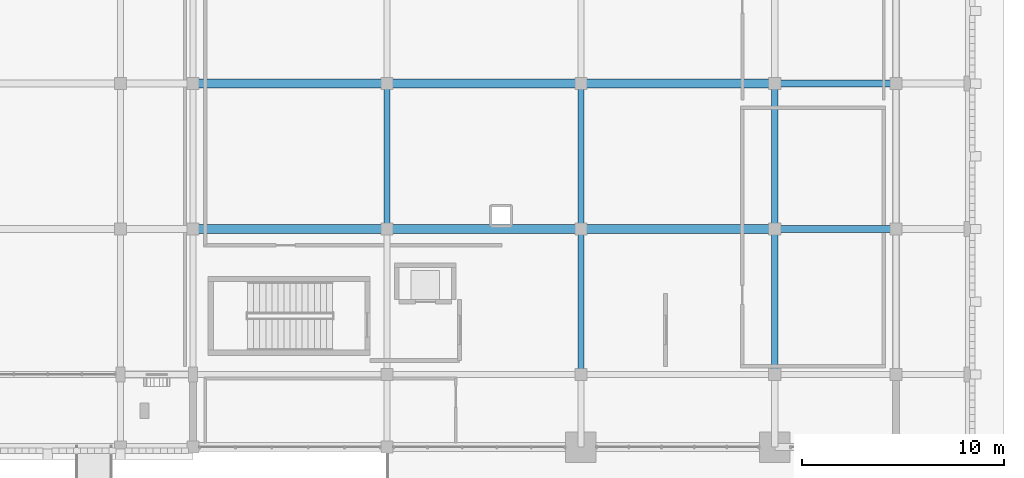
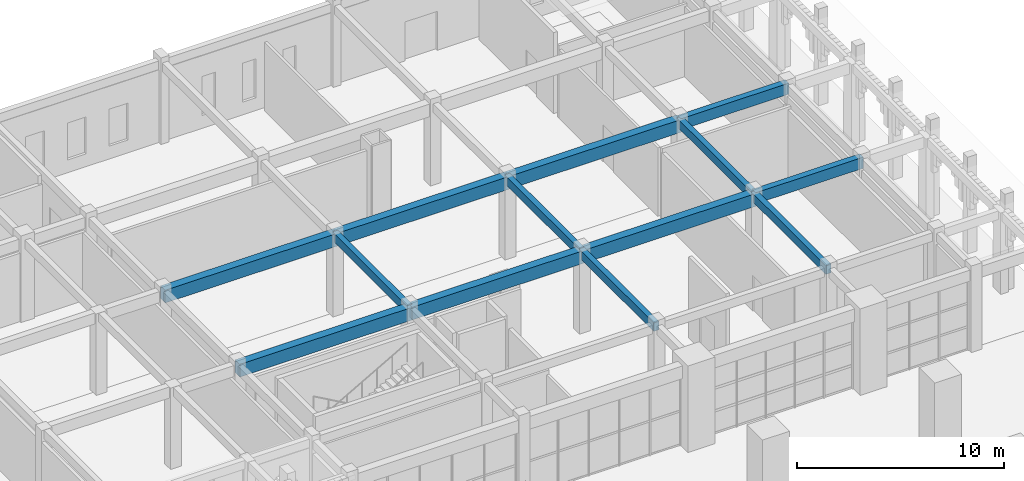
# One storey, part 23 of 72: 13 beams.
"""IFC4 building model written with IfcOpenShell, lengths in metres."""

from ifc_helpers import new_model, si_unit, direction, frame, origin, origin_2d, place, context, subcontext, project, spatial, rectangle, extrude, material, material_profile, profile_set, type_object, element, save


model = new_model("IFC4")

# Units and contexts
model_context = context("Model", 3, precision=1e-05, world=origin(), true_north=direction((0.0, 1.0)))
body_context = subcontext(model_context, "Body", "Model", "MODEL_VIEW")
ifc_project = project(units=[si_unit("LENGTHUNIT", "METRE"), si_unit("AREAUNIT", "SQUARE_METRE"), si_unit("VOLUMEUNIT", "CUBIC_METRE"), si_unit("PLANEANGLEUNIT", "RADIAN"), si_unit("MASSUNIT", "GRAM", prefix="KILO")], contexts=[model_context])

# Site, building, storey
site_placement = place(None, origin())
site = spatial("IfcSite", under=ifc_project, at=site_placement, CompositionType="ELEMENT")
building_placement = place(site_placement, origin())
building = spatial("IfcBuilding", under=site, at=building_placement, Name="Nzembalo Square Collegiate School", CompositionType="ELEMENT")
storey_placement = place(building_placement, origin())
storey = spatial("IfcBuildingStorey", under=building, at=storey_placement, Name="L00", CompositionType="ELEMENT", Elevation=0.0)

# Beams
ifc_material_1 = material(Name="Concrete C35/45", Category="concrete")
ifc_material_profile_1 = material_profile(ifc_material_1, rectangle(XDim=0.35009765625, YDim=0.64990234375, at=origin_2d()), Name="RC 350x650")
ifc_profile_set_1 = profile_set([ifc_material_profile_1], Name="Concrete C35/45")
beam_type_1 = type_object("IfcBeamType", Name="B01", PredefinedType="BEAM", material=ifc_profile_set_1)
for number, where, z_axis, x_axis, name in (
    (1, (159.60009765625, 90.0, 4.465087890625), (1.0, 0.0, 0.0), (0.0, 1.0, 0.0), "Beam B01 L00"),
    (2, (159.60009765625, 97.199951171875, 4.465087890625), (1.0, 0.0, 0.0), (0.0, 1.0, 0.0), "Beam B01 L00"),
):
    element("IfcBeam", number, at=place(storey_placement, frame(where, z_axis=z_axis, x_axis=x_axis)), inside=storey, type_object=beam_type_1, Name=name, PredefinedType="BEAM", context=body_context, shape_type="SweptSolid", body=[
        extrude(rectangle(XDim=0.35009765625, YDim=0.64990234375, at=origin_2d()), origin(), (0.0, 0.0, 1.0), 6.0),
    ])
ifc_material_2 = material(Name="Concrete C35/45", Category="concrete")
ifc_material_profile_2 = material_profile(ifc_material_2, rectangle(XDim=0.300048828125, YDim=0.5, at=origin_2d()), Name="RC 300x500")
ifc_profile_set_2 = profile_set([ifc_material_profile_2], Name="Concrete C35/45")
beam_type_2 = type_object("IfcBeamType", Name="B02", PredefinedType="BEAM", material=ifc_profile_set_2)
for number, where, z_axis, x_axis, name in (
    (3, (140.39990234375, 90.0, 4.5400390625), (0.0, 1.0, 0.0), (-1.0, 0.0, 0.0), "Beam B02 L00"),
    (4, (150.0, 82.800048828125, 4.5400390625), (0.0, 1.0, 0.0), (-1.0, 0.0, 0.0), "Beam B02 L00"),
    (5, (150.0, 90.0, 4.5400390625), (0.0, 1.0, 0.0), (-1.0, 0.0, 0.0), "Beam B02 L00"),
    (6, (159.60009765625, 82.800048828125, 4.5400390625), (0.0, 1.0, 0.0), (-1.0, 0.0, 0.0), "Beam B02 L00"),
    (7, (159.60009765625, 90.0, 4.5400390625), (0.0, 1.0, 0.0), (-1.0, 0.0, 0.0), "Beam B02 L00"),
):
    element("IfcBeam", number, at=place(storey_placement, frame(where, z_axis=z_axis, x_axis=x_axis)), inside=storey, type_object=beam_type_2, Name=name, PredefinedType="BEAM", context=body_context, shape_type="SweptSolid", body=[
        extrude(rectangle(XDim=0.300048828125, YDim=0.5, at=origin_2d()), origin(), (0.0, 0.0, 1.0), 7.199951171875),
    ])
ifc_material_3 = material(Name="Concrete C35/45", Category="concrete")
ifc_material_profile_3 = material_profile(ifc_material_3, rectangle(XDim=0.449951171875, YDim=0.75, at=origin_2d()), Name="RC 450x750")
ifc_profile_set_3 = profile_set([ifc_material_profile_3], Name="Concrete C35/45")
beam_type_3 = type_object("IfcBeamType", Name="TG01", PredefinedType="BEAM", material=ifc_profile_set_3)
beam_1_placement = place(storey_placement, frame((130.800048828125, 90.0, 4.4150390625), z_axis=(1.0, 0.0, 0.0), x_axis=(0.0, 1.0, 0.0)))
element("IfcBeam", 8, at=beam_1_placement, inside=storey, type_object=beam_type_3, Name="Beam TG01 L00", PredefinedType="BEAM", context=body_context, shape_type="SweptSolid", body=[
    extrude(rectangle(XDim=0.449951171875, YDim=0.75, at=origin_2d()), origin(), (0.0, 0.0, 1.0), 9.599853515625),
])
for number, where, z_axis, x_axis, name in (
    (9, (140.39990234375, 90.0, 4.4150390625), (1.0, 0.0, 0.0), (0.0, 1.0, 0.0), "Beam TG01 L00"),
    (10, (150.0, 90.0, 4.4150390625), (1.0, 0.0, 0.0), (0.0, 1.0, 0.0), "Beam TG01 L00"),
):
    element("IfcBeam", number, at=place(storey_placement, frame(where, z_axis=z_axis, x_axis=x_axis)), inside=storey, type_object=beam_type_3, Name=name, PredefinedType="BEAM", context=body_context, shape_type="SweptSolid", body=[
        extrude(rectangle(XDim=0.449951171875, YDim=0.75, at=origin_2d()), origin(), (0.0, 0.0, 1.0), 9.60009765625),
    ])
beam_2_placement = place(storey_placement, frame((130.800048828125, 97.199951171875, 4.4150390625), z_axis=(1.0, 0.0, 0.0), x_axis=(0.0, 1.0, 0.0)))
element("IfcBeam", 11, at=beam_2_placement, inside=storey, type_object=beam_type_3, Name="Beam TG01 L00", PredefinedType="BEAM", context=body_context, shape_type="SweptSolid", body=[
    extrude(rectangle(XDim=0.449951171875, YDim=0.75, at=origin_2d()), origin(), (0.0, 0.0, 1.0), 9.599853515625),
])
for number, where, z_axis, x_axis, name in (
    (12, (140.39990234375, 97.199951171875, 4.4150390625), (1.0, 0.0, 0.0), (0.0, 1.0, 0.0), "Beam TG01 L00"),
    (13, (150.0, 97.199951171875, 4.4150390625), (1.0, 0.0, 0.0), (0.0, 1.0, 0.0), "Beam TG01 L00"),
):
    element("IfcBeam", number, at=place(storey_placement, frame(where, z_axis=z_axis, x_axis=x_axis)), inside=storey, type_object=beam_type_3, Name=name, PredefinedType="BEAM", context=body_context, shape_type="SweptSolid", body=[
        extrude(rectangle(XDim=0.449951171875, YDim=0.75, at=origin_2d()), origin(), (0.0, 0.0, 1.0), 9.60009765625),
    ])

save(model, "model.ifc")
